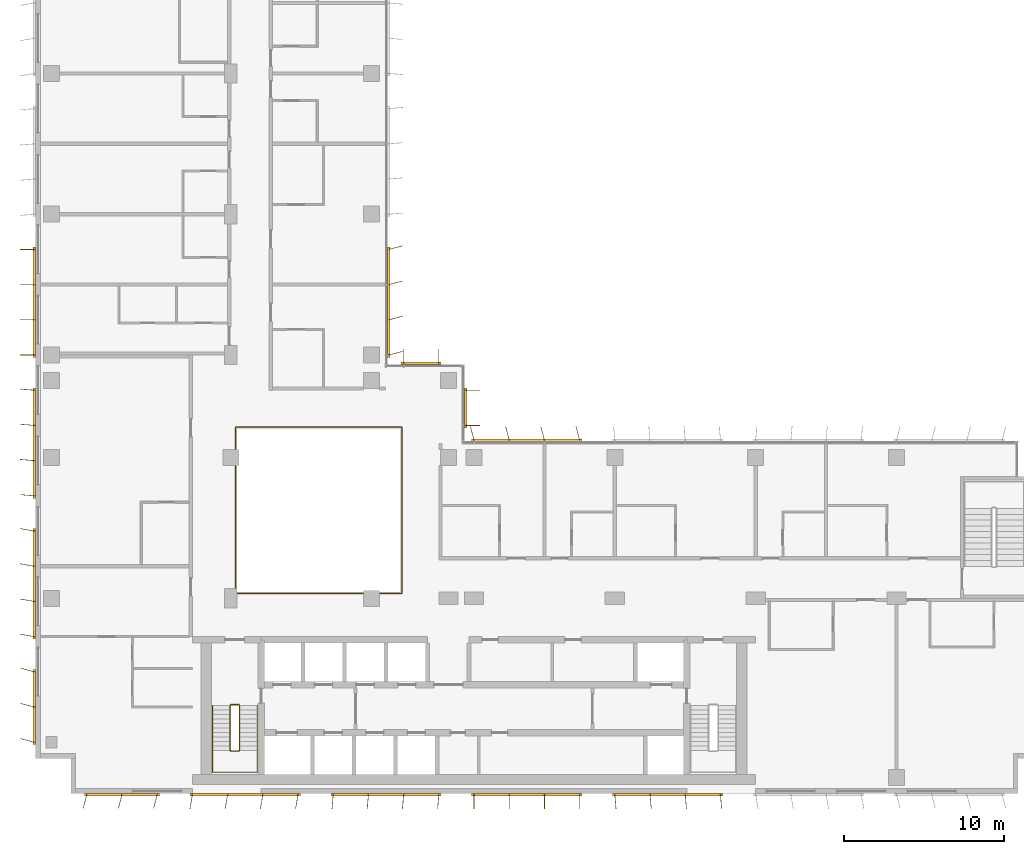
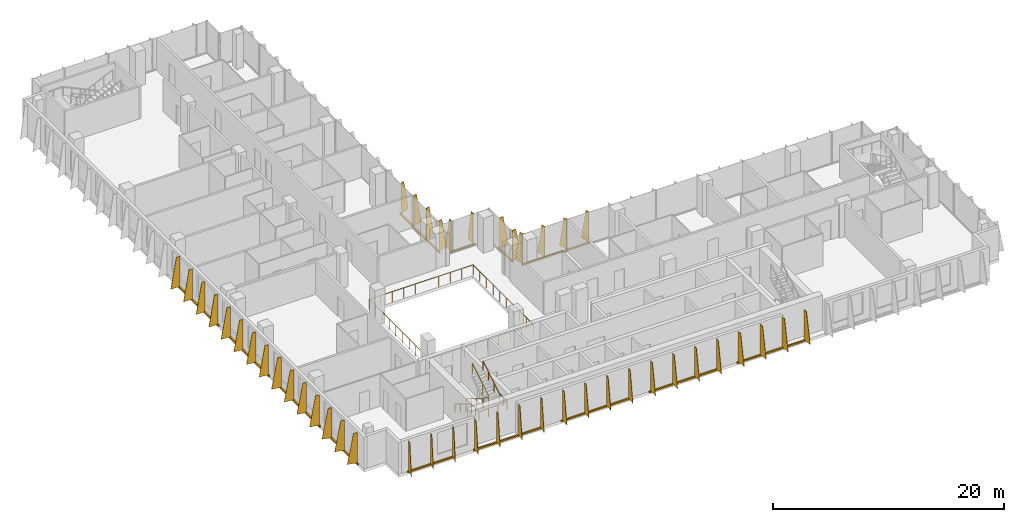
# One storey, part 19 of 21: 13 shading devices, 3 railings.
"""IFC4 building model written with IfcOpenShell, lengths in metres."""

from ifc_helpers import new_model, si_unit, direction, frame, origin, origin_2d, place, context, subcontext, project, spatial, polyline, rectangle, circle, outline, extrude, source, transform, mapped, material, layer, layer_set, type_object, element, save


model = new_model("IFC4")

# Units and contexts
model_context = context("Model", 3, precision=1e-05, world=origin(), true_north=direction((0.0, 1.0)))
body_context = subcontext(model_context, "Body", "Model", "MODEL_VIEW")
ifc_project = project(units=[si_unit("LENGTHUNIT", "METRE"), si_unit("AREAUNIT", "SQUARE_METRE"), si_unit("VOLUMEUNIT", "CUBIC_METRE"), si_unit("PLANEANGLEUNIT", "RADIAN"), si_unit("MASSUNIT", "GRAM", prefix="KILO")], contexts=[model_context])

# Site, building, storey
site_placement = place(None, origin())
site = spatial("IfcSite", under=ifc_project, at=site_placement, CompositionType="ELEMENT")
building_placement = place(site_placement, origin())
building = spatial("IfcBuilding", under=site, at=building_placement, Name="Kemantara Hotel Tower", CompositionType="ELEMENT")
storey_placement = place(building_placement, frame((0.0, 0.0, 164.199951171875)))
storey = spatial("IfcBuildingStorey", under=building, at=storey_placement, Name="L40", CompositionType="ELEMENT", Elevation=164.199951171875)

# Railings
ifc_material_1 = material(Name="Stainless steel and laminated glass balustrade", Category="steel")
railing_type_1 = type_object("IfcRailingType", Name="ATRIUM GUARD 1100", PredefinedType="GUARDRAIL", material=ifc_material_1)
railing_1_placement = place(storey_placement, frame((12.56005859375, 12.5, 0.0)))
element("IfcRailing", 1, at=railing_1_placement, inside=storey, type_object=railing_type_1, Name="ATRIUM GUARD L40", PredefinedType="GUARDRAIL", context=body_context, shape_type="SweptSolid", body=[
    extrude(circle(Radius=0.02490234375, at=origin_2d()), frame((0.0, 0.0, 1.0751953125), z_axis=(1.0, 0.0, 0.0), x_axis=(0.0, 1.0, 0.0)), (0.0, 0.0, 1.0), 10.33984375),
    extrude(circle(Radius=0.02490234375, at=origin_2d()), frame((10.33984375, 0.0, 1.0751953125), z_axis=(0.0, 1.0, 0.0), x_axis=(-1.0, 0.0, 0.0)), (0.0, 0.0, 1.0), 10.39990234375),
    extrude(circle(Radius=0.02490234375, at=origin_2d()), frame((10.33984375, 10.39990234375, 1.0751953125), z_axis=(-1.0, 0.0, 0.0), x_axis=(0.0, -1.0, 0.0)), (0.0, 0.0, 1.0), 10.39990234375),
    extrude(circle(Radius=0.02490234375, at=origin_2d()), frame((-0.06005859375, 10.39990234375, 1.0751953125), z_axis=(0.0, -1.0, 0.0), x_axis=(1.0, 0.0, 0.0)), (0.0, 0.0, 1.0), 10.39990234375),
    extrude(circle(Radius=0.02001953125, at=origin_2d()), origin(), (0.0, 0.0, 1.0), 1.050048828125),
    extrude(circle(Radius=0.02001953125, at=origin_2d()), frame((1.14892578125, 0.0, 0.0)), (0.0, 0.0, 1.0), 1.050048828125),
    extrude(circle(Radius=0.02001953125, at=origin_2d()), frame((2.2978515625, 0.0, 0.0)), (0.0, 0.0, 1.0), 1.050048828125),
    extrude(circle(Radius=0.02001953125, at=origin_2d()), frame((3.446533203125, 0.0, 0.0)), (0.0, 0.0, 1.0), 1.050048828125),
    extrude(circle(Radius=0.02001953125, at=origin_2d()), frame((4.595458984375, 0.0, 0.0)), (0.0, 0.0, 1.0), 1.050048828125),
    extrude(circle(Radius=0.02001953125, at=origin_2d()), frame((5.744384765625, 0.0, 0.0)), (0.0, 0.0, 1.0), 1.050048828125),
    extrude(circle(Radius=0.02001953125, at=origin_2d()), frame((6.893310546875, 0.0, 0.0)), (0.0, 0.0, 1.0), 1.050048828125),
    extrude(circle(Radius=0.02001953125, at=origin_2d()), frame((8.0419921875, 0.0, 0.0)), (0.0, 0.0, 1.0), 1.050048828125),
    extrude(circle(Radius=0.02001953125, at=origin_2d()), frame((9.19091796875, 0.0, 0.0)), (0.0, 0.0, 1.0), 1.050048828125),
    extrude(circle(Radius=0.02001953125, at=origin_2d()), frame((10.33984375, 0.0, 0.0)), (0.0, 0.0, 1.0), 1.050048828125),
    extrude(circle(Radius=0.02001953125, at=origin_2d()), frame((10.33984375, 1.155517578125, 0.0)), (0.0, 0.0, 1.0), 1.050048828125),
    extrude(circle(Radius=0.02001953125, at=origin_2d()), frame((10.33984375, 2.31103515625, 0.0)), (0.0, 0.0, 1.0), 1.050048828125),
    extrude(circle(Radius=0.02001953125, at=origin_2d()), frame((10.33984375, 3.466552734375, 0.0)), (0.0, 0.0, 1.0), 1.050048828125),
    extrude(circle(Radius=0.02001953125, at=origin_2d()), frame((10.33984375, 4.6220703125, 0.0)), (0.0, 0.0, 1.0), 1.050048828125),
    extrude(circle(Radius=0.02001953125, at=origin_2d()), frame((10.33984375, 5.77783203125, 0.0)), (0.0, 0.0, 1.0), 1.050048828125),
    extrude(circle(Radius=0.02001953125, at=origin_2d()), frame((10.33984375, 6.933349609375, 0.0)), (0.0, 0.0, 1.0), 1.050048828125),
    extrude(circle(Radius=0.02001953125, at=origin_2d()), frame((10.33984375, 8.0888671875, 0.0)), (0.0, 0.0, 1.0), 1.050048828125),
    extrude(circle(Radius=0.02001953125, at=origin_2d()), frame((10.33984375, 9.244384765625, 0.0)), (0.0, 0.0, 1.0), 1.050048828125),
    extrude(circle(Radius=0.02001953125, at=origin_2d()), frame((10.33984375, 10.39990234375, 0.0)), (0.0, 0.0, 1.0), 1.050048828125),
    extrude(circle(Radius=0.02001953125, at=origin_2d()), frame((9.184326171875, 10.39990234375, 0.0)), (0.0, 0.0, 1.0), 1.050048828125),
    extrude(circle(Radius=0.02001953125, at=origin_2d()), frame((8.02880859375, 10.39990234375, 0.0)), (0.0, 0.0, 1.0), 1.050048828125),
    extrude(circle(Radius=0.02001953125, at=origin_2d()), frame((6.873291015625, 10.39990234375, 0.0)), (0.0, 0.0, 1.0), 1.050048828125),
    extrude(circle(Radius=0.02001953125, at=origin_2d()), frame((5.7177734375, 10.39990234375, 0.0)), (0.0, 0.0, 1.0), 1.050048828125),
    extrude(circle(Radius=0.02001953125, at=origin_2d()), frame((4.56201171875, 10.39990234375, 0.0)), (0.0, 0.0, 1.0), 1.050048828125),
    extrude(circle(Radius=0.02001953125, at=origin_2d()), frame((3.406494140625, 10.39990234375, 0.0)), (0.0, 0.0, 1.0), 1.050048828125),
    extrude(circle(Radius=0.02001953125, at=origin_2d()), frame((2.2509765625, 10.39990234375, 0.0)), (0.0, 0.0, 1.0), 1.050048828125),
    extrude(circle(Radius=0.02001953125, at=origin_2d()), frame((1.095458984375, 10.39990234375, 0.0)), (0.0, 0.0, 1.0), 1.050048828125),
    extrude(circle(Radius=0.02001953125, at=origin_2d()), frame((-0.06005859375, 10.39990234375, 0.0)), (0.0, 0.0, 1.0), 1.050048828125),
    extrude(circle(Radius=0.02001953125, at=origin_2d()), frame((-0.06005859375, 9.244384765625, 0.0)), (0.0, 0.0, 1.0), 1.050048828125),
    extrude(circle(Radius=0.02001953125, at=origin_2d()), frame((-0.06005859375, 8.0888671875, 0.0)), (0.0, 0.0, 1.0), 1.050048828125),
    extrude(circle(Radius=0.02001953125, at=origin_2d()), frame((-0.06005859375, 6.933349609375, 0.0)), (0.0, 0.0, 1.0), 1.050048828125),
    extrude(circle(Radius=0.02001953125, at=origin_2d()), frame((-0.06005859375, 5.77783203125, 0.0)), (0.0, 0.0, 1.0), 1.050048828125),
    extrude(circle(Radius=0.02001953125, at=origin_2d()), frame((-0.06005859375, 4.6220703125, 0.0)), (0.0, 0.0, 1.0), 1.050048828125),
    extrude(circle(Radius=0.02001953125, at=origin_2d()), frame((-0.06005859375, 3.466552734375, 0.0)), (0.0, 0.0, 1.0), 1.050048828125),
    extrude(circle(Radius=0.02001953125, at=origin_2d()), frame((-0.06005859375, 2.31103515625, 0.0)), (0.0, 0.0, 1.0), 1.050048828125),
    extrude(circle(Radius=0.02001953125, at=origin_2d()), frame((-0.06005859375, 1.155517578125, 0.0)), (0.0, 0.0, 1.0), 1.050048828125),
    extrude(circle(Radius=0.02001953125, at=origin_2d()), frame((-0.06005859375, 0.0, 0.0)), (0.0, 0.0, 1.0), 1.050048828125),
])
ifc_material_2 = material(Name="Stainless steel balustrade", Category="steel")
railing_type_2 = type_object("IfcRailingType", Name="Stair guard 1100 mm", PredefinedType="GUARDRAIL", material=ifc_material_2)
railing_2_placement = place(storey_placement, frame((12.75, 5.5, 3.699951171875)))
element("IfcRailing", 2, at=railing_2_placement, inside=storey, type_object=railing_type_2, Name="L40 ST1 stair guard 1", PredefinedType="GUARDRAIL", context=body_context, shape_type="SweptSolid", body=[
    extrude(circle(Radius=0.02392578125, at=origin_2d()), frame((0.0, 0.0, 1.076171875), z_axis=(0.0, -0.857275202839, -0.514858452973), x_axis=(1.0, 0.0, 0.0)), (0.0, 0.0, 1.0), 3.26611328125),
    extrude(circle(Radius=0.02392578125, at=origin_2d()), frame((0.0, -2.800048828125, -0.60546875), z_axis=(-0.274243871929, -0.274243871929, -0.92172696468), x_axis=(0.707106781187, -0.707106781187, 0.0)), (0.0, 0.0, 1.0), 0.1826171875),
    extrude(circle(Radius=0.02392578125, at=origin_2d()), frame((-0.050048828125, -2.85009765625, -0.77392578125), z_axis=(-1.0, 0.0, 0.0), x_axis=(0.0, -1.0, 0.0)), (0.0, 0.0, 1.0), 0.5),
    extrude(circle(Radius=0.02392578125, at=origin_2d()), frame((-0.550048828125, -2.85009765625, -0.77392578125), z_axis=(-0.707106781187, 0.707106781187, 0.0), x_axis=(-0.707106781187, -0.707106781187, 0.0)), (0.0, 0.0, 1.0), 0.07080078125),
    extrude(circle(Radius=0.02392578125, at=origin_2d()), frame((-0.60009765625, -2.800048828125, -0.77392578125), z_axis=(0.0, 0.857242210791, -0.514913383045), x_axis=(-1.0, 0.0, 0.0)), (0.0, 0.0, 1.0), 3.266357421875),
    extrude(circle(Radius=0.02392578125, at=origin_2d()), frame((-0.60009765625, 0.0, -2.45556640625), z_axis=(0.274243871929, 0.274243871929, -0.92172696468), x_axis=(-0.707106781187, 0.707106781187, 0.0)), (0.0, 0.0, 1.0), 0.1826171875),
    extrude(circle(Radius=0.02392578125, at=origin_2d()), frame((-0.550048828125, 0.050048828125, -2.6240234375), z_axis=(1.0, 0.0, 0.0), x_axis=(0.0, 1.0, 0.0)), (0.0, 0.0, 1.0), 0.5),
    extrude(circle(Radius=0.02099609375, at=origin_2d()), origin(), (0.0, 0.0, 1.0), 1.052001953125),
    extrude(circle(Radius=0.02099609375, at=origin_2d()), frame((0.0, -0.933349609375, -0.560546875)), (0.0, 0.0, 1.0), 1.052001953125),
    extrude(circle(Radius=0.02099609375, at=origin_2d()), frame((0.0, -1.86669921875, -1.12109375)), (0.0, 0.0, 1.0), 1.052001953125),
    extrude(circle(Radius=0.02099609375, at=origin_2d()), frame((0.0, -2.800048828125, -1.681640625)), (0.0, 0.0, 1.0), 1.052001953125),
    extrude(circle(Radius=0.02099609375, at=origin_2d()), frame((-0.050048828125, -2.85009765625, -1.849853515625)), (0.0, 0.0, 1.0), 1.052001953125),
    extrude(circle(Radius=0.02099609375, at=origin_2d()), frame((-0.550048828125, -2.85009765625, -1.849853515625)), (0.0, 0.0, 1.0), 1.052001953125),
    extrude(circle(Radius=0.02099609375, at=origin_2d()), frame((-0.60009765625, -2.800048828125, -1.849853515625)), (0.0, 0.0, 1.0), 1.052001953125),
    extrude(circle(Radius=0.02099609375, at=origin_2d()), frame((-0.60009765625, -1.86669921875, -2.410400390625)), (0.0, 0.0, 1.0), 1.052001953125),
    extrude(circle(Radius=0.02099609375, at=origin_2d()), frame((-0.60009765625, -0.933349609375, -2.97119140625)), (0.0, 0.0, 1.0), 1.052001953125),
    extrude(circle(Radius=0.02099609375, at=origin_2d()), frame((-0.60009765625, 0.0, -3.53173828125)), (0.0, 0.0, 1.0), 1.052001953125),
    extrude(circle(Radius=0.02099609375, at=origin_2d()), frame((-0.550048828125, 0.050048828125, -3.699951171875)), (0.0, 0.0, 1.0), 1.052001953125),
    extrude(circle(Radius=0.02099609375, at=origin_2d()), frame((-0.050048828125, 0.050048828125, -3.699951171875)), (0.0, 0.0, 1.0), 1.052001953125),
])
railing_type_3 = type_object("IfcRailingType", Name="Stair handrail 900 mm", PredefinedType="HANDRAIL", material=ifc_material_2)
railing_3_placement = place(storey_placement, frame((11.050048828125, 5.5, 0.168212890625)))
element("IfcRailing", 3, at=railing_3_placement, inside=storey, type_object=railing_type_3, Name="L40 ST1 stair handrail 1", PredefinedType="HANDRAIL", context=body_context, shape_type="SweptSolid", body=[
    extrude(circle(Radius=0.02392578125, at=origin_2d()), frame((0.0, 0.0, 0.8759765625), z_axis=(0.0, -0.857242210791, 0.514913383045), x_axis=(1.0, 0.0, 0.0)), (0.0, 0.0, 1.0), 3.266357421875),
    extrude(circle(Radius=0.02392578125, at=origin_2d()), frame((0.0, -2.800048828125, 2.5576171875), z_axis=(0.0, -1.0, 0.0), x_axis=(1.0, 0.0, 0.0)), (0.0, 0.0, 1.0), 1.3798828125),
    extrude(circle(Radius=0.02392578125, at=origin_2d()), frame((0.0, -4.179931640625, 2.5576171875), z_axis=(0.998200367801, 0.0, 0.059966871865), x_axis=(0.0, 1.0, 0.0)), (0.0, 0.0, 1.0), 2.80517578125),
    extrude(circle(Radius=0.02392578125, at=origin_2d()), frame((2.800048828125, -4.179931640625, 2.72607421875), z_axis=(0.0, 1.0, 0.0), x_axis=(-1.0, 0.0, 0.0)), (0.0, 0.0, 1.0), 1.3798828125),
    extrude(circle(Radius=0.02392578125, at=origin_2d()), frame((2.800048828125, -2.800048828125, 2.72607421875), z_axis=(0.0, 0.857275202839, 0.514858452973), x_axis=(-1.0, 0.0, 0.0)), (0.0, 0.0, 1.0), 3.26611328125),
    extrude(circle(Radius=0.02099609375, at=origin_2d()), origin(), (0.0, 0.0, 1.0), 0.851806640625),
    extrude(circle(Radius=0.02099609375, at=origin_2d()), frame((0.0, -0.933349609375, 0.560546875)), (0.0, 0.0, 1.0), 0.851806640625),
    extrude(circle(Radius=0.02099609375, at=origin_2d()), frame((0.0, -1.86669921875, 1.121337890625)), (0.0, 0.0, 1.0), 0.851806640625),
    extrude(circle(Radius=0.02099609375, at=origin_2d()), frame((0.0, -2.800048828125, 1.681884765625)), (0.0, 0.0, 1.0), 0.851806640625),
    extrude(circle(Radius=0.02099609375, at=origin_2d()), frame((0.0, -3.489990234375, 1.681884765625)), (0.0, 0.0, 1.0), 0.851806640625),
    extrude(circle(Radius=0.02099609375, at=origin_2d()), frame((0.0, -4.179931640625, 1.681884765625)), (0.0, 0.0, 1.0), 0.851806640625),
    extrude(circle(Radius=0.02099609375, at=origin_2d()), frame((0.933349609375, -4.179931640625, 1.738037109375)), (0.0, 0.0, 1.0), 0.851806640625),
    extrude(circle(Radius=0.02099609375, at=origin_2d()), frame((1.86669921875, -4.179931640625, 1.7939453125)), (0.0, 0.0, 1.0), 0.851806640625),
    extrude(circle(Radius=0.02099609375, at=origin_2d()), frame((2.800048828125, -4.179931640625, 1.85009765625)), (0.0, 0.0, 1.0), 0.851806640625),
    extrude(circle(Radius=0.02099609375, at=origin_2d()), frame((2.800048828125, -3.489990234375, 1.85009765625)), (0.0, 0.0, 1.0), 0.851806640625),
    extrude(circle(Radius=0.02099609375, at=origin_2d()), frame((2.800048828125, -2.800048828125, 1.85009765625)), (0.0, 0.0, 1.0), 0.851806640625),
    extrude(circle(Radius=0.02099609375, at=origin_2d()), frame((2.800048828125, -1.86669921875, 2.41064453125)), (0.0, 0.0, 1.0), 0.851806640625),
    extrude(circle(Radius=0.02099609375, at=origin_2d()), frame((2.800048828125, -0.933349609375, 2.97119140625)), (0.0, 0.0, 1.0), 0.851806640625),
    extrude(circle(Radius=0.02099609375, at=origin_2d()), frame((2.800048828125, 0.0, 3.53173828125)), (0.0, 0.0, 1.0), 0.851806640625),
])

# Shading devices
ifc_material_3 = material(Name="Perforated aluminium plate 4 mm bronze anodised", Category="aluminium")
ifc_layer_1 = layer(ifc_material_3, 0.0400390625)
ifc_layer_set_1 = layer_set([ifc_layer_1], Name="Perforated aluminium plate 4 mm bronze anodised")
shading_device_type_1 = type_object("IfcShadingDeviceType", Name="SCREEN FIN CASSETTE, 3 BLADES AT -15.0 DEG, 3200 HIGH", PredefinedType="USERDEFINED", material=ifc_layer_set_1)
shared_shape_1 = source(origin(), body_context, "Body", "SweptSolid", [
    extrude(rectangle(XDim=4.699951171875, YDim=0.14990234375, at=origin_2d()), frame((2.199951171875, -0.074951171875, -0.14990234375), z_axis=(0.0, 0.0, 1.0), x_axis=(1.0, 0.0, 0.0)), (0.0, 0.0, 1.0), 0.14990234375),
    extrude(outline(polyline([(0.0, 0.0), (0.89990234375, 0.0), (0.35009765625, 3.199951171875), (0.0, 3.199951171875), (0.0, 0.0)])), frame((0.019287109375, -0.080078125, 0.0), z_axis=(-0.966437683387, 0.256901156343, 0.0), x_axis=(-0.256901156343, -0.966437683387, 0.0)), (0.0, 0.0, 1.0), 0.039794921875),
    extrude(outline(polyline([(0.0, 0.0), (0.89990234375, 0.0), (0.35009765625, 3.199951171875), (0.0, 3.199951171875), (0.0, 0.0)])), frame((2.21923828125, -0.080078125, 0.0), z_axis=(-0.966437683387, 0.256901156343, 0.0), x_axis=(-0.256901156343, -0.966437683387, 0.0)), (0.0, 0.0, 1.0), 0.039794921875),
    extrude(outline(polyline([(0.0, 0.0), (0.89990234375, 0.0), (0.35009765625, 3.199951171875), (0.0, 3.199951171875), (0.0, 0.0)])), frame((4.41943359375, -0.080078125, 0.0), z_axis=(-0.966837822169, 0.255391122837, 0.0), x_axis=(-0.255391122837, -0.966837822169, 0.0)), (0.0, 0.0, 1.0), 0.0400390625),
])
for number, where, z_axis, x_axis, name in (
    (4, (0.0, 7.60009765625, 0.10009765625), (0.0, 0.0, 1.0), (0.0, -1.0, 0.0), "SCREEN FIN CASSETTE L40 T3-R05-7"),
    (5, (3.199951171875, 0.0, 0.10009765625), (0.0, 0.0, 1.0), (1.0, 0.0, 0.0), "SCREEN FIN CASSETTE L40 T3-R08-1"),
):
    element("IfcShadingDevice", number, at=place(storey_placement, frame(where, z_axis=z_axis, x_axis=x_axis)), inside=storey, type_object=shading_device_type_1, Name=name, ObjectType="SCREEN FIN", PredefinedType="USERDEFINED", context=body_context, shape_type="MappedRepresentation", body=[
        mapped(shared_shape_1, transform((0.0, 0.0, 0.0))),
    ])
ifc_layer_2 = layer(ifc_material_3, 0.0400390625)
ifc_layer_set_2 = layer_set([ifc_layer_2], Name="Perforated aluminium plate 4 mm bronze anodised")
shading_device_type_2 = type_object("IfcShadingDeviceType", Name="SCREEN FIN CASSETTE, 4 BLADES AT -10.0 DEG, 3200 HIGH", PredefinedType="USERDEFINED", material=ifc_layer_set_2)
shared_shape_2 = source(origin(), body_context, "Body", "SweptSolid", [
    extrude(rectangle(XDim=6.89990234375, YDim=0.14990234375, at=origin_2d()), frame((3.300048828125, -0.074951171875, -0.14990234375), z_axis=(0.0, 0.0, 1.0), x_axis=(1.0, 0.0, 0.0)), (0.0, 0.0, 1.0), 0.14990234375),
    extrude(outline(polyline([(0.0, 0.0), (0.89990234375, 0.0), (0.35009765625, 3.199951171875), (0.0, 3.199951171875), (0.0, 0.0)])), frame((0.019775390625, -0.078369140625, 0.0), z_axis=(-0.985389793052, 0.170314285219, 0.0), x_axis=(-0.170314285219, -0.985389793052, 0.0)), (0.0, 0.0, 1.0), 0.0400390625),
    extrude(outline(polyline([(0.0, 0.0), (0.89990234375, 0.0), (0.35009765625, 3.199951171875), (0.0, 3.199951171875), (0.0, 0.0)])), frame((2.2197265625, -0.078369140625, 0.0), z_axis=(-0.98521175482, 0.171341174751, 0.0), x_axis=(-0.171341174751, -0.98521175482, 0.0)), (0.0, 0.0, 1.0), 0.039794921875),
    extrude(outline(polyline([(0.0, 0.0), (0.89990234375, 0.0), (0.35009765625, 3.199951171875), (0.0, 3.199951171875), (0.0, 0.0)])), frame((4.419677734375, -0.078369140625, 0.0), z_axis=(-0.98521175482, 0.171341174751, 0.0), x_axis=(-0.171341174751, -0.98521175482, 0.0)), (0.0, 0.0, 1.0), 0.039794921875),
    extrude(outline(polyline([(0.0, 0.0), (0.89990234375, 0.0), (0.35009765625, 3.199951171875), (0.0, 3.199951171875), (0.0, 0.0)])), frame((6.61962890625, -0.078369140625, 0.0), z_axis=(-0.98521175482, 0.171341174751, 0.0), x_axis=(-0.171341174751, -0.98521175482, 0.0)), (0.0, 0.0, 1.0), 0.039794921875),
])
for number, where, z_axis, x_axis, name in (
    (6, (0.0, 16.39990234375, 0.10009765625), (0.0, 0.0, 1.0), (0.0, -1.0, 0.0), "SCREEN FIN CASSETTE L40 T3-R05-6"),
    (7, (9.800048828125, 0.0, 0.10009765625), (0.0, 0.0, 1.0), (1.0, 0.0, 0.0), "SCREEN FIN CASSETTE L40 T3-R08-2"),
):
    element("IfcShadingDevice", number, at=place(storey_placement, frame(where, z_axis=z_axis, x_axis=x_axis)), inside=storey, type_object=shading_device_type_2, Name=name, ObjectType="SCREEN FIN", PredefinedType="USERDEFINED", context=body_context, shape_type="MappedRepresentation", body=[
        mapped(shared_shape_2, transform((0.0, 0.0, 0.0))),
    ])
ifc_layer_3 = layer(ifc_material_3, 0.0400390625)
ifc_layer_set_3 = layer_set([ifc_layer_3], Name="Perforated aluminium plate 4 mm bronze anodised")
shading_device_type_3 = type_object("IfcShadingDeviceType", Name="SCREEN FIN CASSETTE, 4 BLADES AT -5.0 DEG, 3200 HIGH", PredefinedType="USERDEFINED", material=ifc_layer_set_3)
shared_shape_3 = source(origin(), body_context, "Body", "SweptSolid", [
    extrude(rectangle(XDim=6.89990234375, YDim=0.14990234375, at=origin_2d()), frame((3.300048828125, -0.074951171875, -0.14990234375), z_axis=(0.0, 0.0, 1.0), x_axis=(1.0, 0.0, 0.0)), (0.0, 0.0, 1.0), 0.14990234375),
    extrude(outline(polyline([(0.0, 0.0), (0.89990234375, 0.0), (0.35009765625, 3.199951171875), (0.0, 3.199951171875), (0.0, 0.0)])), frame((0.02001953125, -0.07666015625, 0.0), z_axis=(-0.996376129781, 0.085056498884, 0.0), x_axis=(-0.085056498884, -0.996376129781, 0.0)), (0.0, 0.0, 1.0), 0.040283203125),
    extrude(outline(polyline([(0.0, 0.0), (0.89990234375, 0.0), (0.35009765625, 3.199951171875), (0.0, 3.199951171875), (0.0, 0.0)])), frame((2.219970703125, -0.07666015625, 0.0), z_axis=(-0.996331773833, 0.085574508182, 0.0), x_axis=(-0.085574508182, -0.996331773833, 0.0)), (0.0, 0.0, 1.0), 0.0400390625),
    extrude(outline(polyline([(0.0, 0.0), (0.89990234375, 0.0), (0.35009765625, 3.199951171875), (0.0, 3.199951171875), (0.0, 0.0)])), frame((4.419921875, -0.07666015625, 0.0), z_axis=(-0.996331773833, 0.085574508182, 0.0), x_axis=(-0.085574508182, -0.996331773833, 0.0)), (0.0, 0.0, 1.0), 0.0400390625),
    extrude(outline(polyline([(0.0, 0.0), (0.89990234375, 0.0), (0.35009765625, 3.199951171875), (0.0, 3.199951171875), (0.0, 0.0)])), frame((6.619873046875, -0.07666015625, 0.0), z_axis=(-0.996331773833, 0.085574508182, 0.0), x_axis=(-0.085574508182, -0.996331773833, 0.0)), (0.0, 0.0, 1.0), 0.0400390625),
])
for number, where, z_axis, x_axis, name in (
    (8, (0.0, 25.199951171875, 0.10009765625), (0.0, 0.0, 1.0), (0.0, -1.0, 0.0), "SCREEN FIN CASSETTE L40 T3-R05-5"),
    (9, (18.60009765625, 0.0, 0.10009765625), (0.0, 0.0, 1.0), (1.0, 0.0, 0.0), "SCREEN FIN CASSETTE L40 T3-R08-3"),
):
    element("IfcShadingDevice", number, at=place(storey_placement, frame(where, z_axis=z_axis, x_axis=x_axis)), inside=storey, type_object=shading_device_type_3, Name=name, ObjectType="SCREEN FIN", PredefinedType="USERDEFINED", context=body_context, shape_type="MappedRepresentation", body=[
        mapped(shared_shape_3, transform((0.0, 0.0, 0.0))),
    ])
ifc_layer_4 = layer(ifc_material_3, 0.0400390625)
ifc_layer_set_4 = layer_set([ifc_layer_4], Name="Perforated aluminium plate 4 mm bronze anodised")
shading_device_type_4 = type_object("IfcShadingDeviceType", Name="SCREEN FIN CASSETTE, 4 BLADES AT +0.0 DEG, 3200 HIGH", PredefinedType="USERDEFINED", material=ifc_layer_set_4)
shared_shape_4 = source(origin(), body_context, "Body", "SweptSolid", [
    extrude(rectangle(XDim=6.89990234375, YDim=0.14990234375, at=origin_2d()), frame((3.300048828125, -0.074951171875, -0.14990234375), z_axis=(0.0, 0.0, 1.0), x_axis=(1.0, 0.0, 0.0)), (0.0, 0.0, 1.0), 0.14990234375),
    extrude(outline(polyline([(0.0, 0.0), (0.89990234375, 0.0), (0.35009765625, 3.199951171875), (0.0, 3.199951171875), (0.0, 0.0)])), frame((0.02001953125, -0.074951171875, 0.0), z_axis=(-1.0, 0.0, 0.0), x_axis=(0.0, -1.0, 0.0)), (0.0, 0.0, 1.0), 0.0400390625),
    extrude(outline(polyline([(0.0, 0.0), (0.89990234375, 0.0), (0.35009765625, 3.199951171875), (0.0, 3.199951171875), (0.0, 0.0)])), frame((2.219970703125, -0.074951171875, 0.0), z_axis=(-1.0, 0.0, 0.0), x_axis=(0.0, -1.0, 0.0)), (0.0, 0.0, 1.0), 0.0400390625),
    extrude(outline(polyline([(0.0, 0.0), (0.89990234375, 0.0), (0.35009765625, 3.199951171875), (0.0, 3.199951171875), (0.0, 0.0)])), frame((4.419921875, -0.074951171875, 0.0), z_axis=(-1.0, 0.0, 0.0), x_axis=(0.0, -1.0, 0.0)), (0.0, 0.0, 1.0), 0.0400390625),
    extrude(outline(polyline([(0.0, 0.0), (0.89990234375, 0.0), (0.35009765625, 3.199951171875), (0.0, 3.199951171875), (0.0, 0.0)])), frame((6.6201171875, -0.074951171875, 0.0), z_axis=(-1.0, 0.0, 0.0), x_axis=(0.0, -1.0, 0.0)), (0.0, 0.0, 1.0), 0.0400390625),
])
for number, where, z_axis, x_axis, name in (
    (10, (0.0, 34.0, 0.10009765625), (0.0, 0.0, 1.0), (0.0, -1.0, 0.0), "SCREEN FIN CASSETTE L40 T3-R05-4"),
    (11, (27.39990234375, 0.0, 0.10009765625), (0.0, 0.0, 1.0), (1.0, 0.0, 0.0), "SCREEN FIN CASSETTE L40 T3-R08-4"),
):
    element("IfcShadingDevice", number, at=place(storey_placement, frame(where, z_axis=z_axis, x_axis=x_axis)), inside=storey, type_object=shading_device_type_4, Name=name, ObjectType="SCREEN FIN", PredefinedType="USERDEFINED", context=body_context, shape_type="MappedRepresentation", body=[
        mapped(shared_shape_4, transform((0.0, 0.0, 0.0))),
    ])
ifc_layer_5 = layer(ifc_material_3, 0.0400390625)
ifc_layer_set_5 = layer_set([ifc_layer_5], Name="Perforated aluminium plate 4 mm bronze anodised")
shading_device_type_5 = type_object("IfcShadingDeviceType", Name="SCREEN FIN CASSETTE, 4 BLADES AT +5.0 DEG, 3200 HIGH", PredefinedType="USERDEFINED", material=ifc_layer_set_5)
shared_shape_5 = source(origin(), body_context, "Body", "SweptSolid", [
    extrude(rectangle(XDim=6.89990234375, YDim=0.14990234375, at=origin_2d()), frame((3.300048828125, -0.074951171875, -0.14990234375), z_axis=(0.0, 0.0, 1.0), x_axis=(1.0, 0.0, 0.0)), (0.0, 0.0, 1.0), 0.14990234375),
    extrude(outline(polyline([(0.0, 0.0), (0.89990234375, 0.0), (0.35009765625, 3.199951171875), (0.0, 3.199951171875), (0.0, 0.0)])), frame((0.02001953125, -0.0732421875, 0.0), z_axis=(-0.996376129781, -0.085056498884, 0.0), x_axis=(0.085056498884, -0.996376129781, 0.0)), (0.0, 0.0, 1.0), 0.040283203125),
    extrude(outline(polyline([(0.0, 0.0), (0.89990234375, 0.0), (0.35009765625, 3.199951171875), (0.0, 3.199951171875), (0.0, 0.0)])), frame((2.219970703125, -0.0732421875, 0.0), z_axis=(-0.996331773833, -0.085574508182, 0.0), x_axis=(0.085574508182, -0.996331773833, 0.0)), (0.0, 0.0, 1.0), 0.0400390625),
    extrude(outline(polyline([(0.0, 0.0), (0.89990234375, 0.0), (0.35009765625, 3.199951171875), (0.0, 3.199951171875), (0.0, 0.0)])), frame((4.419921875, -0.0732421875, 0.0), z_axis=(-0.996331773833, -0.085574508182, 0.0), x_axis=(0.085574508182, -0.996331773833, 0.0)), (0.0, 0.0, 1.0), 0.0400390625),
    extrude(outline(polyline([(0.0, 0.0), (0.89990234375, 0.0), (0.35009765625, 3.199951171875), (0.0, 3.199951171875), (0.0, 0.0)])), frame((6.619873046875, -0.0732421875, 0.0), z_axis=(-0.996331773833, -0.085574508182, 0.0), x_axis=(0.085574508182, -0.996331773833, 0.0)), (0.0, 0.0, 1.0), 0.0400390625),
])
shading_device_placement = place(storey_placement, frame((36.199951171875, 0.0, 0.10009765625), z_axis=(0.0, 0.0, 1.0), x_axis=(1.0, 0.0, 0.0)))
element("IfcShadingDevice", 12, at=shading_device_placement, inside=storey, type_object=shading_device_type_5, Name="SCREEN FIN CASSETTE L40 T3-R08-5", ObjectType="SCREEN FIN", PredefinedType="USERDEFINED", context=body_context, shape_type="MappedRepresentation", body=[
    mapped(shared_shape_5, transform((0.0, 0.0, 0.0))),
])
ifc_layer_6 = layer(ifc_material_3, 0.0400390625)
ifc_layer_set_6 = layer_set([ifc_layer_6], Name="Perforated aluminium plate 4 mm bronze anodised")
shading_device_type_6 = type_object("IfcShadingDeviceType", Name="SCREEN FIN CASSETTE, 4 BLADES AT +15.0 DEG, 3200 HIGH", PredefinedType="USERDEFINED", material=ifc_layer_set_6)
shared_shape_6 = source(origin(), body_context, "Body", "SweptSolid", [
    extrude(rectangle(XDim=6.89990234375, YDim=0.14990234375, at=origin_2d()), frame((3.300048828125, -0.074951171875, -0.14990234375), z_axis=(0.0, 0.0, 1.0), x_axis=(1.0, 0.0, 0.0)), (0.0, 0.0, 1.0), 0.14990234375),
    extrude(outline(polyline([(0.0, 0.0), (0.89990234375, 0.0), (0.35009765625, 3.199951171875), (0.0, 3.199951171875), (0.0, 0.0)])), frame((0.019287109375, -0.06982421875, 0.0), z_axis=(-0.966437683387, -0.256901156343, 0.0), x_axis=(0.256901156343, -0.966437683387, 0.0)), (0.0, 0.0, 1.0), 0.039794921875),
    extrude(outline(polyline([(0.0, 0.0), (0.89990234375, 0.0), (0.35009765625, 3.199951171875), (0.0, 3.199951171875), (0.0, 0.0)])), frame((2.21923828125, -0.06982421875, 0.0), z_axis=(-0.966437683387, -0.256901156343, 0.0), x_axis=(0.256901156343, -0.966437683387, 0.0)), (0.0, 0.0, 1.0), 0.039794921875),
    extrude(outline(polyline([(0.0, 0.0), (0.89990234375, 0.0), (0.35009765625, 3.199951171875), (0.0, 3.199951171875), (0.0, 0.0)])), frame((4.41943359375, -0.06982421875, 0.0), z_axis=(-0.966837822169, -0.255391122837, 0.0), x_axis=(0.255391122837, -0.966837822169, 0.0)), (0.0, 0.0, 1.0), 0.0400390625),
    extrude(outline(polyline([(0.0, 0.0), (0.89990234375, 0.0), (0.35009765625, 3.199951171875), (0.0, 3.199951171875), (0.0, 0.0)])), frame((6.619384765625, -0.06982421875, 0.0), z_axis=(-0.966837822169, -0.255391122837, 0.0), x_axis=(0.255391122837, -0.966837822169, 0.0)), (0.0, 0.0, 1.0), 0.0400390625),
])
for number, where, z_axis, x_axis, name in (
    (13, (34.0, 22.0, 0.10009765625), (0.0, 0.0, 1.0), (-1.0, 0.0, 0.0), "SCREEN FIN CASSETTE L40 T3-R14-4"),
    (14, (22.0, 27.39990234375, 0.10009765625), (0.0, 0.0, 1.0), (0.0, 1.0, 0.0), "SCREEN FIN CASSETTE L40 T3-R17-1"),
):
    element("IfcShadingDevice", number, at=place(storey_placement, frame(where, z_axis=z_axis, x_axis=x_axis)), inside=storey, type_object=shading_device_type_6, Name=name, ObjectType="SCREEN FIN", PredefinedType="USERDEFINED", context=body_context, shape_type="MappedRepresentation", body=[
        mapped(shared_shape_6, transform((0.0, 0.0, 0.0))),
    ])
ifc_layer_7 = layer(ifc_material_3, 0.0400390625)
ifc_layer_set_7 = layer_set([ifc_layer_7], Name="Perforated aluminium plate 4 mm bronze anodised")
shading_device_type_7 = type_object("IfcShadingDeviceType", Name="SCREEN FIN CASSETTE, 2 BLADES AT +0.0 DEG, 3200 HIGH", PredefinedType="USERDEFINED", material=ifc_layer_set_7)
shared_shape_7 = source(origin(), body_context, "Body", "SweptSolid", [
    extrude(rectangle(XDim=2.5, YDim=0.14990234375, at=origin_2d()), frame((1.10009765625, -0.074951171875, -0.14990234375), z_axis=(0.0, 0.0, 1.0), x_axis=(1.0, 0.0, 0.0)), (0.0, 0.0, 1.0), 0.14990234375),
    extrude(outline(polyline([(0.0, 0.0), (0.89990234375, 0.0), (0.35009765625, 3.199951171875), (0.0, 3.199951171875), (0.0, 0.0)])), frame((0.02001953125, -0.074951171875, 0.0), z_axis=(-1.0, 0.0, 0.0), x_axis=(0.0, -1.0, 0.0)), (0.0, 0.0, 1.0), 0.0400390625),
    extrude(outline(polyline([(0.0, 0.0), (0.89990234375, 0.0), (0.35009765625, 3.199951171875), (0.0, 3.199951171875), (0.0, 0.0)])), frame((2.219970703125, -0.074951171875, 0.0), z_axis=(-1.0, 0.0, 0.0), x_axis=(0.0, -1.0, 0.0)), (0.0, 0.0, 1.0), 0.0400390625),
])
for number, where, z_axis, x_axis, name in (
    (15, (26.800048828125, 23.0, 0.10009765625), (0.0, 0.0, 1.0), (0.0, 1.0, 0.0), "SCREEN FIN CASSETTE L40 T3-R15-1"),
    (16, (25.199951171875, 26.800048828125, 0.10009765625), (0.0, 0.0, 1.0), (-1.0, 0.0, 0.0), "SCREEN FIN CASSETTE L40 T3-R16-1"),
):
    element("IfcShadingDevice", number, at=place(storey_placement, frame(where, z_axis=z_axis, x_axis=x_axis)), inside=storey, type_object=shading_device_type_7, Name=name, ObjectType="SCREEN FIN", PredefinedType="USERDEFINED", context=body_context, shape_type="MappedRepresentation", body=[
        mapped(shared_shape_7, transform((0.0, 0.0, 0.0))),
    ])

save(model, "model.ifc")
